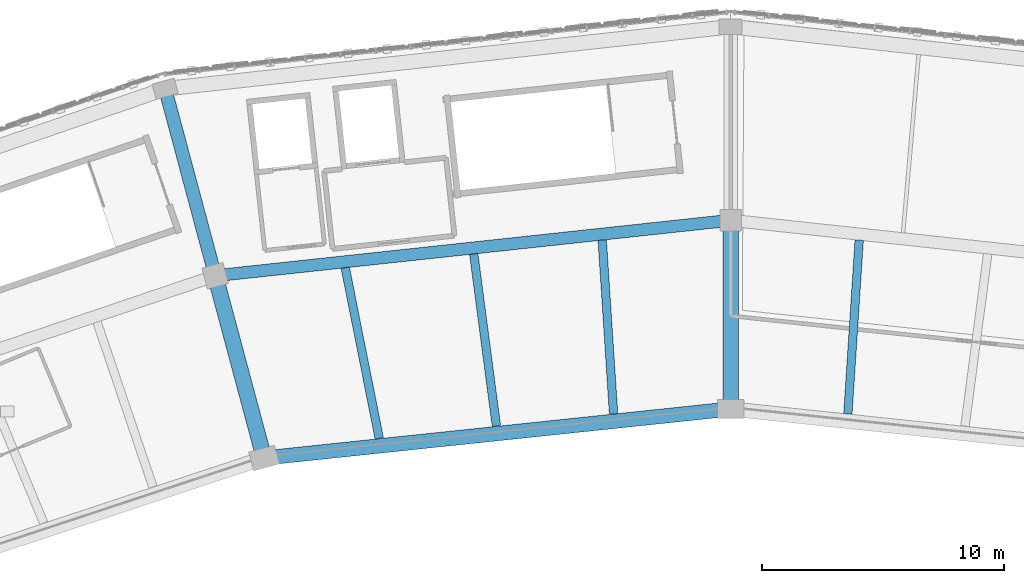
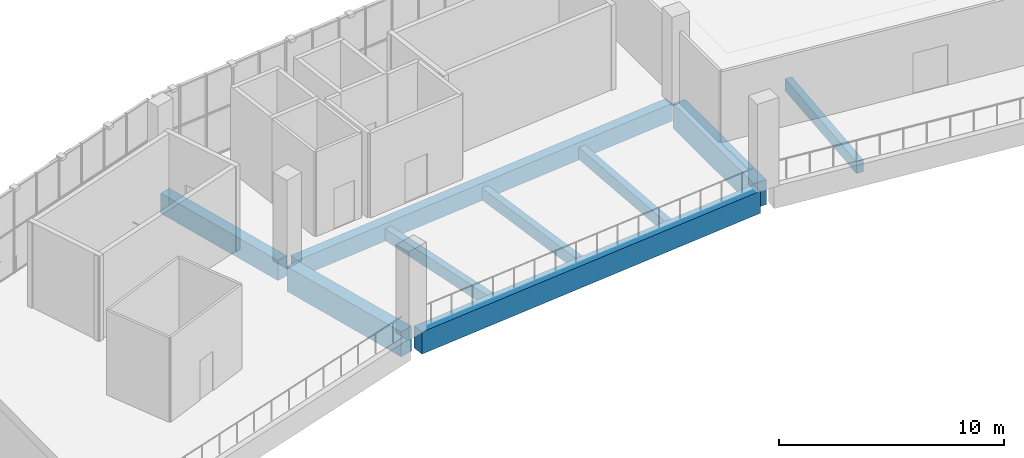
# One storey, part 26 of 64: 9 beams.
"""IFC4 building model written with IfcOpenShell, lengths in metres."""

from ifc_helpers import new_model, si_unit, direction, frame, origin, origin_2d, place, context, subcontext, project, spatial, rectangle, extrude, material, material_profile, profile_set, type_object, element, save


model = new_model("IFC4")

# Units and contexts
model_context = context("Model", 3, precision=1e-05, world=origin(), true_north=direction((0.0, 1.0)))
body_context = subcontext(model_context, "Body", "Model", "MODEL_VIEW")
ifc_project = project(units=[si_unit("LENGTHUNIT", "METRE"), si_unit("AREAUNIT", "SQUARE_METRE"), si_unit("VOLUMEUNIT", "CUBIC_METRE"), si_unit("PLANEANGLEUNIT", "RADIAN"), si_unit("MASSUNIT", "GRAM", prefix="KILO")], contexts=[model_context])

# Site, building, storey
site_placement = place(None, origin())
site = spatial("IfcSite", under=ifc_project, at=site_placement, CompositionType="ELEMENT")
building_placement = place(site_placement, origin())
building = spatial("IfcBuilding", under=site, at=building_placement, Name="Zevraka Park Crest Stadium", CompositionType="ELEMENT")
storey_placement = place(building_placement, frame((0.0, 0.0, 24.60009765625)))
storey = spatial("IfcBuildingStorey", under=building, at=storey_placement, Name="L05", CompositionType="ELEMENT", Elevation=24.60009765625)

# Beams
ifc_material_1 = material(Name="Concrete C40/50", Category="concrete")
ifc_material_profile_1 = material_profile(ifc_material_1, rectangle(XDim=0.64990234375, YDim=1.35009765625, at=origin_2d()), Name="RC 1350x650")
ifc_profile_set_1 = profile_set([ifc_material_profile_1], Name="Concrete C40/50")
beam_type_1 = type_object("IfcBeamType", Name="BG01", PredefinedType="BEAM", material=ifc_profile_set_1)
beam_1_placement = place(storey_placement, frame((112.0, 151.800048828125, -0.68505859375), z_axis=(0.0, 1.0, 0.0), x_axis=(-1.0, 0.0, 0.0)))
element("IfcBeam", 1, at=beam_1_placement, inside=storey, type_object=beam_type_1, Name="Radial Girder BG01 L05-BC-06", PredefinedType="BEAM", context=body_context, shape_type="SweptSolid", body=[
    extrude(rectangle(XDim=0.64990234375, YDim=1.35009765625, at=origin_2d()), origin(), (0.0, 0.0, 1.0), 7.199951171875),
])
beam_2_placement = place(storey_placement, frame((92.639892578125, 149.762939453125, -0.68505859375), z_axis=(-0.258747385792, 0.965945024495, 0.0), x_axis=(-0.965945024495, -0.258747385792, 0.0)))
element("IfcBeam", 2, at=beam_2_placement, inside=storey, type_object=beam_type_1, Name="Radial Girder BG01 L05-BC-07", PredefinedType="BEAM", context=body_context, shape_type="SweptSolid", body=[
    extrude(rectangle(XDim=0.64990234375, YDim=1.35009765625, at=origin_2d()), origin(), (0.0, 0.0, 1.0), 7.19921875),
])
ifc_material_2 = material(Name="Concrete C40/50", Category="concrete")
ifc_material_profile_2 = material_profile(ifc_material_2, rectangle(XDim=0.550048828125, YDim=1.10009765625, at=origin_2d()), Name="RC 1100x550")
ifc_profile_set_2 = profile_set([ifc_material_profile_2], Name="Concrete C40/50")
beam_type_2 = type_object("IfcBeamType", Name="BG02", PredefinedType="BEAM", material=ifc_profile_set_2)
beam_3_placement = place(storey_placement, frame((90.62109375, 157.297119140625, -0.56005859375), z_axis=(-0.258697599806, 0.965958359276, 0.0), x_axis=(-0.965958359276, -0.258697599806, 0.0)))
element("IfcBeam", 3, at=beam_3_placement, inside=storey, type_object=beam_type_2, Name="Radial Girder BG02 L05-CD-07", PredefinedType="BEAM", context=body_context, shape_type="SweptSolid", body=[
    extrude(rectangle(XDim=0.550048828125, YDim=1.10009765625, at=origin_2d()), origin(), (0.0, 0.0, 1.0), 7.39892578125),
])
ifc_material_3 = material(Name="Concrete C40/50", Category="concrete")
ifc_material_profile_3 = material_profile(ifc_material_3, rectangle(XDim=0.60009765625, YDim=1.199951171875, at=origin_2d()), Name="RC 1200x600")
ifc_profile_set_3 = profile_set([ifc_material_profile_3], Name="Concrete C40/50")
beam_type_3 = type_object("IfcBeamType", Name="RB01", PredefinedType="BEAM", material=ifc_profile_set_3)
beam_4_placement = place(storey_placement, frame((111.6220703125, 151.4599609375, -0.610107421875), z_axis=(-0.994522746434, -0.1045203656, 0.0), x_axis=(0.1045203656, -0.994522746434, 0.0)))
element("IfcBeam", 4, at=beam_4_placement, inside=storey, type_object=beam_type_3, Name="Ring Beam RB01 L05-B-06", PredefinedType="BEAM", context=body_context, shape_type="SweptSolid", body=[
    extrude(rectangle(XDim=0.60009765625, YDim=1.199951171875, at=origin_2d()), origin(), (0.0, 0.0, 1.0), 18.628173828125),
])
ifc_material_4 = material(Name="Concrete C40/50", Category="concrete")
ifc_material_profile_4 = material_profile(ifc_material_4, rectangle(XDim=0.5, YDim=0.949951171875, at=origin_2d()), Name="RC 950x500")
ifc_profile_set_4 = profile_set([ifc_material_profile_4], Name="Concrete C40/50")
beam_type_4 = type_object("IfcBeamType", Name="RB02", PredefinedType="BEAM", material=ifc_profile_set_4)
beam_5_placement = place(storey_placement, frame((111.6220703125, 159.259033203125, -0.485107421875), z_axis=(-0.994259477334, -0.106995755668, 0.0), x_axis=(0.106995755668, -0.994259477334, 0.0)))
element("IfcBeam", 5, at=beam_5_placement, inside=storey, type_object=beam_type_4, Name="Ring Beam RB02 L05-C-06", PredefinedType="BEAM", context=body_context, shape_type="SweptSolid", body=[
    extrude(rectangle(XDim=0.5, YDim=0.949951171875, at=origin_2d()), origin(), (0.0, 0.0, 1.0), 20.663818359375),
])
ifc_material_5 = material(Name="Concrete C40/50", Category="concrete")
ifc_material_profile_5 = material_profile(ifc_material_5, rectangle(XDim=0.35009765625, YDim=0.64990234375, at=origin_2d()), Name="RC 650x350")
ifc_profile_set_5 = profile_set([ifc_material_profile_5], Name="Concrete C40/50")
beam_type_5 = type_object("IfcBeamType", Name="SJ06", PredefinedType="JOIST", material=ifc_profile_set_5)
for number, where, z_axis, x_axis, name in (
    (6, (116.841064453125, 151.30810546875, -0.593017578125), (0.06510119131, 0.997878667419, 0.0), (-0.997878667419, 0.06510119131, 0.0), "Floor Joist SJ06 L05-BC-05-3"),
    (7, (107.158935546875, 151.30810546875, -0.593017578125), (-0.06510119131, 0.997878667419, 0.0), (-0.997878667419, -0.06510119131, 0.0), "Floor Joist SJ06 L05-BC-06-1"),
):
    element("IfcBeam", number, at=place(storey_placement, frame(where, z_axis=z_axis, x_axis=x_axis)), inside=storey, type_object=beam_type_5, Name=name, PredefinedType="JOIST", context=body_context, shape_type="SweptSolid", body=[
        extrude(rectangle(XDim=0.35009765625, YDim=0.64990234375, at=origin_2d()), origin(), (0.0, 0.0, 1.0), 7.18896484375),
    ])
beam_6_placement = place(storey_placement, frame((102.318115234375, 150.799072265625, -0.593017578125), z_axis=(-0.13062530986, 0.991431807248, 0.0), x_axis=(-0.991431807248, -0.13062530986, 0.0)))
element("IfcBeam", 8, at=beam_6_placement, inside=storey, type_object=beam_type_5, Name="Floor Joist SJ06 L05-BC-06-2", PredefinedType="JOIST", context=body_context, shape_type="SweptSolid", body=[
    extrude(rectangle(XDim=0.35009765625, YDim=0.64990234375, at=origin_2d()), origin(), (0.0, 0.0, 1.0), 7.17333984375),
])
beam_7_placement = place(storey_placement, frame((97.47705078125, 150.2890625, -0.593017578125), z_axis=(-0.195423881122, 0.980718872403, 0.0), x_axis=(-0.980718872403, -0.195423881122, 0.0)))
element("IfcBeam", 9, at=beam_7_placement, inside=storey, type_object=beam_type_5, Name="Floor Joist SJ06 L05-BC-06-3", PredefinedType="JOIST", context=body_context, shape_type="SweptSolid", body=[
    extrude(rectangle(XDim=0.35009765625, YDim=0.64990234375, at=origin_2d()), origin(), (0.0, 0.0, 1.0), 7.189697265625),
])

save(model, "model.ifc")
